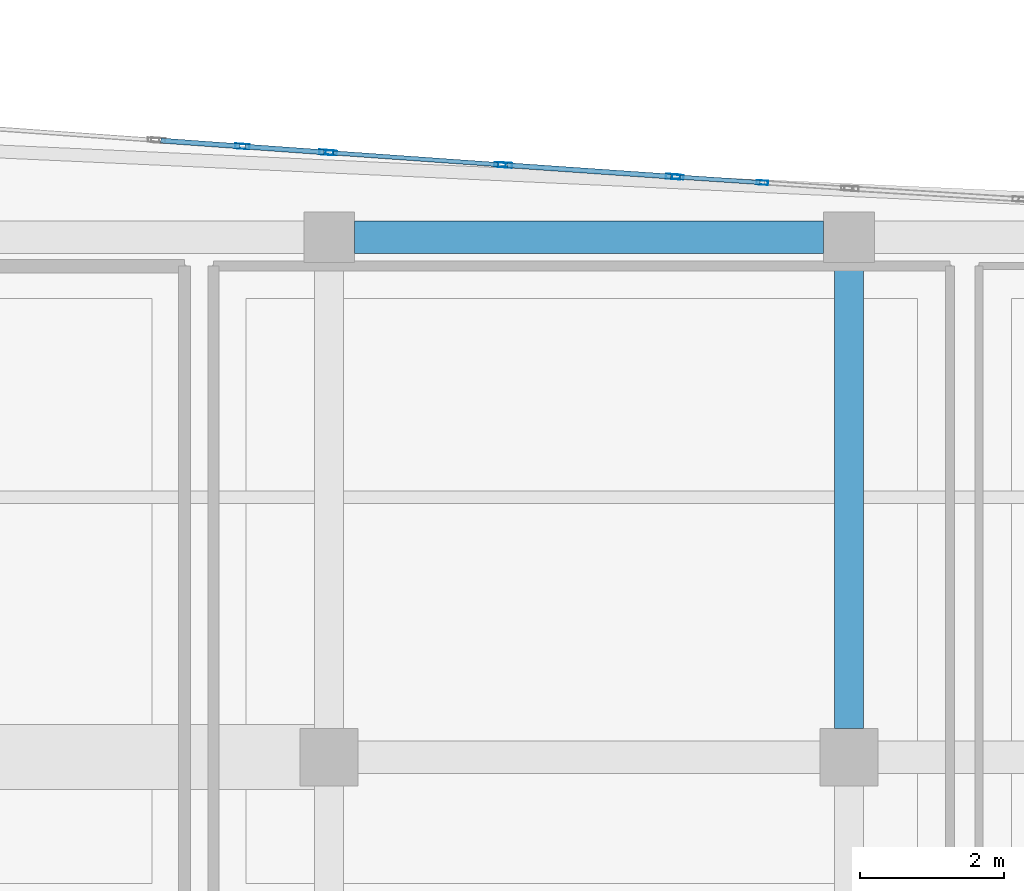
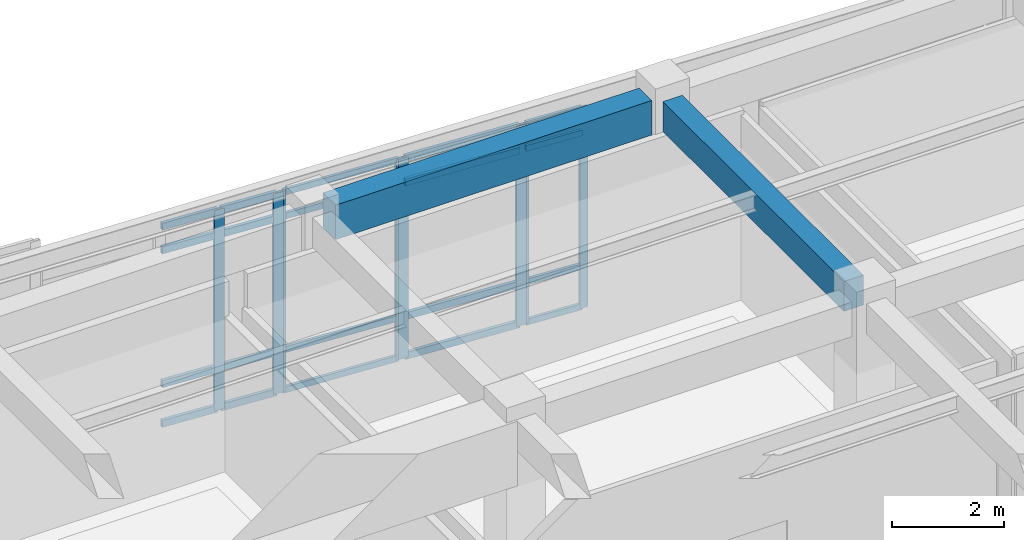
# One storey, part 61 of 117: 28 members, 2 beams, 4 elements without a shape of their own.
"""IFC4 building model written with IfcOpenShell, lengths in metres."""

from ifc_helpers import new_model, si_unit, direction, frame, origin, origin_2d, place, context, subcontext, project, spatial, rectangle, hollow_rectangle, extrude, material, layer, layer_set, material_profile, profile_set, type_object, element, aggregate, save


model = new_model("IFC4")

# Units and contexts
model_context = context("Model", 3, precision=1e-05, world=origin(), true_north=direction((0.0, 1.0)))
body_context = subcontext(model_context, "Body", "Model", "MODEL_VIEW")
ifc_project = project(units=[si_unit("LENGTHUNIT", "METRE"), si_unit("AREAUNIT", "SQUARE_METRE"), si_unit("VOLUMEUNIT", "CUBIC_METRE"), si_unit("PLANEANGLEUNIT", "RADIAN"), si_unit("MASSUNIT", "GRAM", prefix="KILO")], contexts=[model_context])

# Site, building, storey
site_placement = place(None, origin())
site = spatial("IfcSite", under=ifc_project, at=site_placement, CompositionType="ELEMENT")
building_placement = place(site_placement, origin())
building = spatial("IfcBuilding", under=site, at=building_placement, Name="Carrowvane Square Congress Hotel", CompositionType="ELEMENT")
storey_placement = place(building_placement, frame((0.0, 0.0, 5.39990234375)))
storey = spatial("IfcBuildingStorey", under=building, at=storey_placement, Name="L01", CompositionType="ELEMENT", Elevation=5.39990234375)

# Beams
ifc_material_1 = material(Name="Concrete C35/45", Category="concrete")
ifc_material_profile_1 = material_profile(ifc_material_1, rectangle(XDim=0.39990234375, YDim=0.64990234375, at=origin_2d()), Name="RC 400x650")
ifc_profile_set_1 = profile_set([ifc_material_profile_1], Name="Concrete C35/45")
beam_type_1 = type_object("IfcBeamType", Name="BM-RC-400x650", PredefinedType="BEAM", material=ifc_profile_set_1)
beam_1_placement = place(storey_placement, frame((148.39990234375, 106.60009765625, 4.455078125), z_axis=(0.0, 1.0, 0.0), x_axis=(-1.0, 0.0, 0.0)))
element("IfcBeam", 1, at=beam_1_placement, inside=storey, type_object=beam_type_1, Name="L02 girder 20/Q-R", PredefinedType="BEAM", context=body_context, shape_type="SweptSolid", body=[
    extrude(rectangle(XDim=0.39990234375, YDim=0.64990234375, at=origin_2d()), origin(), (0.0, 0.0, 1.0), 6.449951171875),
])
ifc_material_2 = material(Name="Concrete C35/45", Category="concrete")
ifc_material_profile_2 = material_profile(ifc_material_2, rectangle(XDim=0.449951171875, YDim=0.75, at=origin_2d()), Name="RC 450x750")
ifc_profile_set_2 = profile_set([ifc_material_profile_2], Name="Concrete C35/45")
beam_type_2 = type_object("IfcBeamType", Name="BM-RC-450x750", PredefinedType="USERDEFINED", material=ifc_profile_set_2)
beam_2_placement = place(storey_placement, frame((141.550048828125, 113.39990234375, 4.405029296875), z_axis=(1.0, 0.0, 0.0), x_axis=(0.0, 1.0, 0.0)))
element("IfcBeam", 2, at=beam_2_placement, inside=storey, type_object=beam_type_2, Name="L02 girder R/19-20", ObjectType="GIRDER", PredefinedType="USERDEFINED", context=body_context, shape_type="SweptSolid", body=[
    extrude(rectangle(XDim=0.449951171875, YDim=0.75, at=origin_2d()), origin(), (0.0, 0.0, 1.0), 6.5),
])

# Curtain wall, members
ifc_material_3 = material(Name="Anodised aluminium", Category="aluminium")
ifc_layer_1 = layer(ifc_material_3, 0.18603515625)
ifc_layer_set_1 = layer_set([ifc_layer_1], Name="Anodised aluminium")
curtain_wall_type_1 = type_object("IfcCurtainWallType", Name="CW-SYS-3", PredefinedType="NOTDEFINED", material=ifc_layer_set_1)
curtain_wall_1_placement = place(storey_placement, origin())
curtain_wall_1 = element("IfcCurtainWall", 3, at=curtain_wall_1_placement, inside=storey, type_object=curtain_wall_type_1, Name="L01 unitised curtain wall 106", PredefinedType="NOTDEFINED")
ifc_material_4 = material(Name="Anodised aluminium", Category="aluminium")
ifc_material_profile_3 = material_profile(ifc_material_4, hollow_rectangle(XDim=0.06005859375, YDim=0.159912109375, WallThickness=0.00390625, at=origin_2d()), Name="CW-ML 60x160x4")
ifc_profile_set_3 = profile_set([ifc_material_profile_3], Name="Anodised aluminium")
member_type_1 = type_object("IfcMemberType", Name="CW-MUL-1", PredefinedType="MULLION", material=ifc_profile_set_3)
member_1_placement = place(storey_placement, frame((141.22998046875, 114.569091796875, 0.0), z_axis=(0.0, 0.0, 1.0), x_axis=(0.070585996942, 0.997505697746, 0.0)))
member_1 = element("IfcMember", 4, at=member_1_placement, type_object=member_type_1, Name="CW-3 mullion 1", PredefinedType="MULLION", context=body_context, shape_type="SweptSolid", body=[
    extrude(hollow_rectangle(XDim=0.06005859375, YDim=0.159912109375, WallThickness=0.00390625, at=origin_2d()), origin(), (0.0, 0.0, 1.0), 4.355712890625),
])
member_2_placement = place(storey_placement, frame((143.570068359375, 114.403564453125, 0.0), z_axis=(0.0, 0.0, 1.0), x_axis=(0.070585996942, 0.997505697746, 0.0)))
member_2 = element("IfcMember", 5, at=member_2_placement, type_object=member_type_1, Name="CW-3 mullion 2", PredefinedType="MULLION", context=body_context, shape_type="SweptSolid", body=[
    extrude(hollow_rectangle(XDim=0.06005859375, YDim=0.159912109375, WallThickness=0.00390625, at=origin_2d()), origin(), (0.0, 0.0, 1.0), 4.355712890625),
])

ifc_material_5 = material(Name="Anodised aluminium", Category="aluminium")
ifc_layer_2 = layer(ifc_material_5, 0.2099609375)
ifc_layer_set_2 = layer_set([ifc_layer_2], Name="Anodised aluminium")
curtain_wall_type_2 = type_object("IfcCurtainWallType", Name="CW-SYS-5", PredefinedType="NOTDEFINED", material=ifc_layer_set_2)
curtain_wall_2_placement = place(storey_placement, origin())
curtain_wall_2 = element("IfcCurtainWall", 6, at=curtain_wall_2_placement, inside=storey, type_object=curtain_wall_type_2, Name="L01 unitised curtain wall 108", PredefinedType="NOTDEFINED")
member_3_placement = place(storey_placement, frame((146.030029296875, 114.2333984375, 0.0), z_axis=(0.0, 0.0, 1.0), x_axis=(0.06657392244, 0.997781495544, 0.0)))
member_3 = element("IfcMember", 7, at=member_3_placement, type_object=member_type_1, Name="CW-5 mullion 1", PredefinedType="MULLION", context=body_context, shape_type="SweptSolid", body=[
    extrude(hollow_rectangle(XDim=0.06005859375, YDim=0.159912109375, WallThickness=0.00390625, at=origin_2d()), origin(), (0.0, 0.0, 1.0), 4.355712890625),
])
member_4_placement = place(storey_placement, frame((147.199951171875, 114.155517578125, 0.0), z_axis=(0.0, 0.0, 1.0), x_axis=(0.06657392244, 0.997781495544, 0.0)))
member_4 = element("IfcMember", 8, at=member_4_placement, type_object=member_type_1, Name="CW-5 mullion 2", PredefinedType="MULLION", context=body_context, shape_type="SweptSolid", body=[
    extrude(hollow_rectangle(XDim=0.06005859375, YDim=0.159912109375, WallThickness=0.00390625, at=origin_2d()), origin(), (0.0, 0.0, 1.0), 4.355712890625),
])

ifc_material_6 = material(Name="Anodised aluminium", Category="aluminium")
ifc_layer_3 = layer(ifc_material_6, 0.174072265625)
ifc_layer_set_3 = layer_set([ifc_layer_3], Name="Anodised aluminium")
curtain_wall_type_3 = type_object("IfcCurtainWallType", Name="CW-SYS-2", PredefinedType="NOTDEFINED", material=ifc_layer_set_3)
curtain_wall_3_placement = place(storey_placement, origin())
curtain_wall_3 = element("IfcCurtainWall", 9, at=curtain_wall_3_placement, inside=storey, type_object=curtain_wall_type_3, Name="L01 unitised curtain wall 105", PredefinedType="NOTDEFINED")
ifc_material_7 = material(Name="Anodised aluminium", Category="aluminium")
ifc_material_profile_4 = material_profile(ifc_material_7, hollow_rectangle(XDim=0.070068359375, YDim=0.199951171875, WallThickness=0.0048828125, at=origin_2d()), Name="CW-ML 70x200x5")
ifc_profile_set_4 = profile_set([ifc_material_profile_4], Name="Anodised aluminium")
member_type_2 = type_object("IfcMemberType", Name="CW-MUL-2", PredefinedType="MULLION", material=ifc_profile_set_4)
member_5_placement = place(storey_placement, frame((140.0, 114.6572265625, 0.0), z_axis=(0.0, 0.0, 1.0), x_axis=(0.071422490945, 0.997446152826, 0.0)))
member_5 = element("IfcMember", 10, at=member_5_placement, type_object=member_type_2, Name="CW-2 mullion 2", PredefinedType="MULLION", context=body_context, shape_type="SweptSolid", body=[
    extrude(hollow_rectangle(XDim=0.070068359375, YDim=0.199951171875, WallThickness=0.0048828125, at=origin_2d()), origin(), (0.0, 0.0, 1.0), 4.355712890625),
])
member_6_placement = place(storey_placement, frame((141.1650390625, 114.57373046875, 0.0), z_axis=(0.0, 0.0, 1.0), x_axis=(0.071422490945, 0.997446152826, 0.0)))
member_6 = element("IfcMember", 11, at=member_6_placement, type_object=member_type_2, Name="CW-2 mullion 3", PredefinedType="MULLION", context=body_context, shape_type="SweptSolid", body=[
    extrude(hollow_rectangle(XDim=0.070068359375, YDim=0.199951171875, WallThickness=0.0048828125, at=origin_2d()), origin(), (0.0, 0.0, 1.0), 4.355712890625),
])

ifc_material_8 = material(Name="Anodised aluminium", Category="aluminium")
ifc_layer_4 = layer(ifc_material_8, 0.197998046875)
ifc_layer_set_4 = layer_set([ifc_layer_4], Name="Anodised aluminium")
curtain_wall_type_4 = type_object("IfcCurtainWallType", Name="CW-SYS-4", PredefinedType="NOTDEFINED", material=ifc_layer_set_4)
curtain_wall_4_placement = place(storey_placement, origin())
curtain_wall_4 = element("IfcCurtainWall", 12, at=curtain_wall_4_placement, inside=storey, type_object=curtain_wall_type_4, Name="L01 unitised curtain wall 107", PredefinedType="NOTDEFINED")
member_7_placement = place(storey_placement, frame((143.635009765625, 114.39892578125, 0.0), z_axis=(0.0, 0.0, 1.0), x_axis=(0.068986120725, 0.997617619706, 0.0)))
member_7 = element("IfcMember", 13, at=member_7_placement, type_object=member_type_2, Name="CW-4 mullion 1", PredefinedType="MULLION", context=body_context, shape_type="SweptSolid", body=[
    extrude(hollow_rectangle(XDim=0.070068359375, YDim=0.199951171875, WallThickness=0.0048828125, at=origin_2d()), origin(), (0.0, 0.0, 1.0), 4.355712890625),
])
member_8_placement = place(storey_placement, frame((145.965087890625, 114.23779296875, 0.0), z_axis=(0.0, 0.0, 1.0), x_axis=(0.068986120725, 0.997617619706, 0.0)))
member_8 = element("IfcMember", 14, at=member_8_placement, type_object=member_type_2, Name="CW-4 mullion 2", PredefinedType="MULLION", context=body_context, shape_type="SweptSolid", body=[
    extrude(hollow_rectangle(XDim=0.070068359375, YDim=0.199951171875, WallThickness=0.0048828125, at=origin_2d()), origin(), (0.0, 0.0, 1.0), 4.355712890625),
])

# Member
ifc_material_9 = material(Name="Anodised aluminium", Category="aluminium")
ifc_material_profile_5 = material_profile(ifc_material_9, hollow_rectangle(XDim=0.06005859375, YDim=0.1298828125, WallThickness=0.00390625, at=origin_2d()), Name="CW-TR 60x130x4")
ifc_profile_set_5 = profile_set([ifc_material_profile_5], Name="Anodised aluminium")
member_type_3 = type_object("IfcMemberType", Name="CW-TRN-1", PredefinedType="USERDEFINED", material=ifc_profile_set_5)
member_9_placement = place(storey_placement, frame((141.259765625, 114.567138671875, 0.030029296875), z_axis=(0.997505109293, -0.070594312339, 0.0), x_axis=(0.070594312339, 0.997505109293, 0.0)))
member_9 = element("IfcMember", 15, at=member_9_placement, type_object=member_type_3, Name="CW-3 transom 1.1", ObjectType="TRANSOM", PredefinedType="USERDEFINED", context=body_context, shape_type="SweptSolid", body=[
    extrude(hollow_rectangle(XDim=0.06005859375, YDim=0.1298828125, WallThickness=0.00390625, at=origin_2d()), origin(), (0.0, 0.0, 1.0), 2.285888671875),
])

member_10_placement = place(storey_placement, frame((141.259765625, 114.567138671875, 0.900146484375), z_axis=(0.997505109293, -0.070594312339, 0.0), x_axis=(0.070594312339, 0.997505109293, 0.0)))
member_10 = element("IfcMember", 16, at=member_10_placement, type_object=member_type_3, Name="CW-3 transom 1.2", ObjectType="TRANSOM", PredefinedType="USERDEFINED", context=body_context, shape_type="SweptSolid", body=[
    extrude(hollow_rectangle(XDim=0.06005859375, YDim=0.1298828125, WallThickness=0.00390625, at=origin_2d()), origin(), (0.0, 0.0, 1.0), 2.285888671875),
])

member_11_placement = place(storey_placement, frame((141.259765625, 114.567138671875, 3.8056640625), z_axis=(0.997505109293, -0.070594312339, 0.0), x_axis=(0.070594312339, 0.997505109293, 0.0)))
member_11 = element("IfcMember", 17, at=member_11_placement, type_object=member_type_3, Name="CW-3 transom 1.3", ObjectType="TRANSOM", PredefinedType="USERDEFINED", context=body_context, shape_type="SweptSolid", body=[
    extrude(hollow_rectangle(XDim=0.06005859375, YDim=0.1298828125, WallThickness=0.00390625, at=origin_2d()), origin(), (0.0, 0.0, 1.0), 2.285888671875),
])

member_12_placement = place(storey_placement, frame((141.259765625, 114.567138671875, 4.32568359375), z_axis=(0.997505109293, -0.070594312339, 0.0), x_axis=(0.070594312339, 0.997505109293, 0.0)))
member_12 = element("IfcMember", 18, at=member_12_placement, type_object=member_type_3, Name="CW-3 transom 1.4", ObjectType="TRANSOM", PredefinedType="USERDEFINED", context=body_context, shape_type="SweptSolid", body=[
    extrude(hollow_rectangle(XDim=0.06005859375, YDim=0.1298828125, WallThickness=0.00390625, at=origin_2d()), origin(), (0.0, 0.0, 1.0), 2.285888671875),
])

aggregate(curtain_wall_1, [member_1, member_2, member_9, member_10, member_11, member_12])

member_13_placement = place(storey_placement, frame((146.059814453125, 114.2314453125, 0.030029296875), z_axis=(0.997788069164, -0.066475326508, 0.0), x_axis=(0.066475326508, 0.997788069164, 0.0)))
member_13 = element("IfcMember", 19, at=member_13_placement, type_object=member_type_3, Name="CW-5 transom 1.1", ObjectType="TRANSOM", PredefinedType="USERDEFINED", context=body_context, shape_type="SweptSolid", body=[
    extrude(hollow_rectangle(XDim=0.06005859375, YDim=0.1298828125, WallThickness=0.00390625, at=origin_2d()), origin(), (0.0, 0.0, 1.0), 1.11279296875),
])

member_14_placement = place(storey_placement, frame((146.059814453125, 114.2314453125, 0.900146484375), z_axis=(0.997788069164, -0.066475326508, 0.0), x_axis=(0.066475326508, 0.997788069164, 0.0)))
member_14 = element("IfcMember", 20, at=member_14_placement, type_object=member_type_3, Name="CW-5 transom 1.2", ObjectType="TRANSOM", PredefinedType="USERDEFINED", context=body_context, shape_type="SweptSolid", body=[
    extrude(hollow_rectangle(XDim=0.06005859375, YDim=0.1298828125, WallThickness=0.00390625, at=origin_2d()), origin(), (0.0, 0.0, 1.0), 1.11279296875),
])

member_15_placement = place(storey_placement, frame((146.059814453125, 114.2314453125, 3.8056640625), z_axis=(0.997788069164, -0.066475326508, 0.0), x_axis=(0.066475326508, 0.997788069164, 0.0)))
member_15 = element("IfcMember", 21, at=member_15_placement, type_object=member_type_3, Name="CW-5 transom 1.3", ObjectType="TRANSOM", PredefinedType="USERDEFINED", context=body_context, shape_type="SweptSolid", body=[
    extrude(hollow_rectangle(XDim=0.06005859375, YDim=0.1298828125, WallThickness=0.00390625, at=origin_2d()), origin(), (0.0, 0.0, 1.0), 1.11279296875),
])

member_16_placement = place(storey_placement, frame((146.059814453125, 114.2314453125, 4.32568359375), z_axis=(0.997788069164, -0.066475326508, 0.0), x_axis=(0.066475326508, 0.997788069164, 0.0)))
member_16 = element("IfcMember", 22, at=member_16_placement, type_object=member_type_3, Name="CW-5 transom 1.4", ObjectType="TRANSOM", PredefinedType="USERDEFINED", context=body_context, shape_type="SweptSolid", body=[
    extrude(hollow_rectangle(XDim=0.06005859375, YDim=0.1298828125, WallThickness=0.00390625, at=origin_2d()), origin(), (0.0, 0.0, 1.0), 1.11279296875),
])

aggregate(curtain_wall_2, [member_3, member_4, member_13, member_14, member_15, member_16])

ifc_material_10 = material(Name="Anodised aluminium", Category="aluminium")
ifc_material_profile_6 = material_profile(ifc_material_10, hollow_rectangle(XDim=0.070068359375, YDim=0.14990234375, WallThickness=0.0048828125, at=origin_2d()), Name="CW-TR 70x150x5")
ifc_profile_set_6 = profile_set([ifc_material_profile_6], Name="Anodised aluminium")
member_type_4 = type_object("IfcMemberType", Name="CW-TRN-2", PredefinedType="USERDEFINED", material=ifc_profile_set_6)
member_17_placement = place(storey_placement, frame((138.869873046875, 114.738037109375, 0.03515625), z_axis=(0.997449662492, -0.071373460022, 0.0), x_axis=(0.071373460022, 0.997449662492, 0.0)))
member_17 = element("IfcMember", 23, at=member_17_placement, type_object=member_type_4, Name="CW-2 transom 1.1", ObjectType="TRANSOM", PredefinedType="USERDEFINED", context=body_context, shape_type="SweptSolid", body=[
    extrude(hollow_rectangle(XDim=0.070068359375, YDim=0.14990234375, WallThickness=0.0048828125, at=origin_2d()), origin(), (0.0, 0.0, 1.0), 1.097900390625),
])

member_18_placement = place(storey_placement, frame((138.869873046875, 114.738037109375, 0.900146484375), z_axis=(0.997449662492, -0.071373460022, 0.0), x_axis=(0.071373460022, 0.997449662492, 0.0)))
member_18 = element("IfcMember", 24, at=member_18_placement, type_object=member_type_4, Name="CW-2 transom 1.2", ObjectType="TRANSOM", PredefinedType="USERDEFINED", context=body_context, shape_type="SweptSolid", body=[
    extrude(hollow_rectangle(XDim=0.070068359375, YDim=0.14990234375, WallThickness=0.0048828125, at=origin_2d()), origin(), (0.0, 0.0, 1.0), 1.097900390625),
])

member_19_placement = place(storey_placement, frame((138.869873046875, 114.738037109375, 3.8056640625), z_axis=(0.997449662492, -0.071373460022, 0.0), x_axis=(0.071373460022, 0.997449662492, 0.0)))
member_19 = element("IfcMember", 25, at=member_19_placement, type_object=member_type_4, Name="CW-2 transom 1.3", ObjectType="TRANSOM", PredefinedType="USERDEFINED", context=body_context, shape_type="SweptSolid", body=[
    extrude(hollow_rectangle(XDim=0.070068359375, YDim=0.14990234375, WallThickness=0.0048828125, at=origin_2d()), origin(), (0.0, 0.0, 1.0), 1.097900390625),
])

member_20_placement = place(storey_placement, frame((138.869873046875, 114.738037109375, 4.32080078125), z_axis=(0.997449662492, -0.071373460022, 0.0), x_axis=(0.071373460022, 0.997449662492, 0.0)))
member_20 = element("IfcMember", 26, at=member_20_placement, type_object=member_type_4, Name="CW-2 transom 1.4", ObjectType="TRANSOM", PredefinedType="USERDEFINED", context=body_context, shape_type="SweptSolid", body=[
    extrude(hollow_rectangle(XDim=0.070068359375, YDim=0.14990234375, WallThickness=0.0048828125, at=origin_2d()), origin(), (0.0, 0.0, 1.0), 1.097900390625),
])

member_21_placement = place(storey_placement, frame((140.034912109375, 114.65478515625, 0.03515625), z_axis=(0.997433808996, -0.071594669304, 0.0), x_axis=(0.071594669304, 0.997433808996, 0.0)))
member_21 = element("IfcMember", 27, at=member_21_placement, type_object=member_type_4, Name="CW-2 transom 2.1", ObjectType="TRANSOM", PredefinedType="USERDEFINED", context=body_context, shape_type="SweptSolid", body=[
    extrude(hollow_rectangle(XDim=0.070068359375, YDim=0.14990234375, WallThickness=0.0048828125, at=origin_2d()), origin(), (0.0, 0.0, 1.0), 1.09814453125),
])

member_22_placement = place(storey_placement, frame((140.034912109375, 114.65478515625, 0.900146484375), z_axis=(0.997433808996, -0.071594669304, 0.0), x_axis=(0.071594669304, 0.997433808996, 0.0)))
member_22 = element("IfcMember", 28, at=member_22_placement, type_object=member_type_4, Name="CW-2 transom 2.2", ObjectType="TRANSOM", PredefinedType="USERDEFINED", context=body_context, shape_type="SweptSolid", body=[
    extrude(hollow_rectangle(XDim=0.070068359375, YDim=0.14990234375, WallThickness=0.0048828125, at=origin_2d()), origin(), (0.0, 0.0, 1.0), 1.09814453125),
])

member_23_placement = place(storey_placement, frame((140.034912109375, 114.65478515625, 3.8056640625), z_axis=(0.997433808996, -0.071594669304, 0.0), x_axis=(0.071594669304, 0.997433808996, 0.0)))
member_23 = element("IfcMember", 29, at=member_23_placement, type_object=member_type_4, Name="CW-2 transom 2.3", ObjectType="TRANSOM", PredefinedType="USERDEFINED", context=body_context, shape_type="SweptSolid", body=[
    extrude(hollow_rectangle(XDim=0.070068359375, YDim=0.14990234375, WallThickness=0.0048828125, at=origin_2d()), origin(), (0.0, 0.0, 1.0), 1.09814453125),
])

member_24_placement = place(storey_placement, frame((140.034912109375, 114.65478515625, 4.32080078125), z_axis=(0.997433808996, -0.071594669304, 0.0), x_axis=(0.071594669304, 0.997433808996, 0.0)))
member_24 = element("IfcMember", 30, at=member_24_placement, type_object=member_type_4, Name="CW-2 transom 2.4", ObjectType="TRANSOM", PredefinedType="USERDEFINED", context=body_context, shape_type="SweptSolid", body=[
    extrude(hollow_rectangle(XDim=0.070068359375, YDim=0.14990234375, WallThickness=0.0048828125, at=origin_2d()), origin(), (0.0, 0.0, 1.0), 1.09814453125),
])

aggregate(curtain_wall_3, [member_5, member_6, member_17, member_18, member_19, member_20, member_21, member_22, member_23, member_24])

member_25_placement = place(storey_placement, frame((143.669921875, 114.396728515625, 0.03515625), z_axis=(0.997611673576, -0.069072054738, 0.0), x_axis=(0.069072054738, 0.997611673576, 0.0)))
member_25 = element("IfcMember", 31, at=member_25_placement, type_object=member_type_4, Name="CW-4 transom 1.1", ObjectType="TRANSOM", PredefinedType="USERDEFINED", context=body_context, shape_type="SweptSolid", body=[
    extrude(hollow_rectangle(XDim=0.070068359375, YDim=0.14990234375, WallThickness=0.0048828125, at=origin_2d()), origin(), (0.0, 0.0, 1.0), 2.265625),
])

member_26_placement = place(storey_placement, frame((143.669921875, 114.396728515625, 0.900146484375), z_axis=(0.997611673576, -0.069072054738, 0.0), x_axis=(0.069072054738, 0.997611673576, 0.0)))
member_26 = element("IfcMember", 32, at=member_26_placement, type_object=member_type_4, Name="CW-4 transom 1.2", ObjectType="TRANSOM", PredefinedType="USERDEFINED", context=body_context, shape_type="SweptSolid", body=[
    extrude(hollow_rectangle(XDim=0.070068359375, YDim=0.14990234375, WallThickness=0.0048828125, at=origin_2d()), origin(), (0.0, 0.0, 1.0), 2.265625),
])

member_27_placement = place(storey_placement, frame((143.669921875, 114.396728515625, 3.8056640625), z_axis=(0.997611673576, -0.069072054738, 0.0), x_axis=(0.069072054738, 0.997611673576, 0.0)))
member_27 = element("IfcMember", 33, at=member_27_placement, type_object=member_type_4, Name="CW-4 transom 1.3", ObjectType="TRANSOM", PredefinedType="USERDEFINED", context=body_context, shape_type="SweptSolid", body=[
    extrude(hollow_rectangle(XDim=0.070068359375, YDim=0.14990234375, WallThickness=0.0048828125, at=origin_2d()), origin(), (0.0, 0.0, 1.0), 2.265625),
])

member_28_placement = place(storey_placement, frame((143.669921875, 114.396728515625, 4.32080078125), z_axis=(0.997611673576, -0.069072054738, 0.0), x_axis=(0.069072054738, 0.997611673576, 0.0)))
member_28 = element("IfcMember", 34, at=member_28_placement, type_object=member_type_4, Name="CW-4 transom 1.4", ObjectType="TRANSOM", PredefinedType="USERDEFINED", context=body_context, shape_type="SweptSolid", body=[
    extrude(hollow_rectangle(XDim=0.070068359375, YDim=0.14990234375, WallThickness=0.0048828125, at=origin_2d()), origin(), (0.0, 0.0, 1.0), 2.265625),
])

aggregate(curtain_wall_4, [member_7, member_8, member_25, member_26, member_27, member_28])

save(model, "model.ifc")
